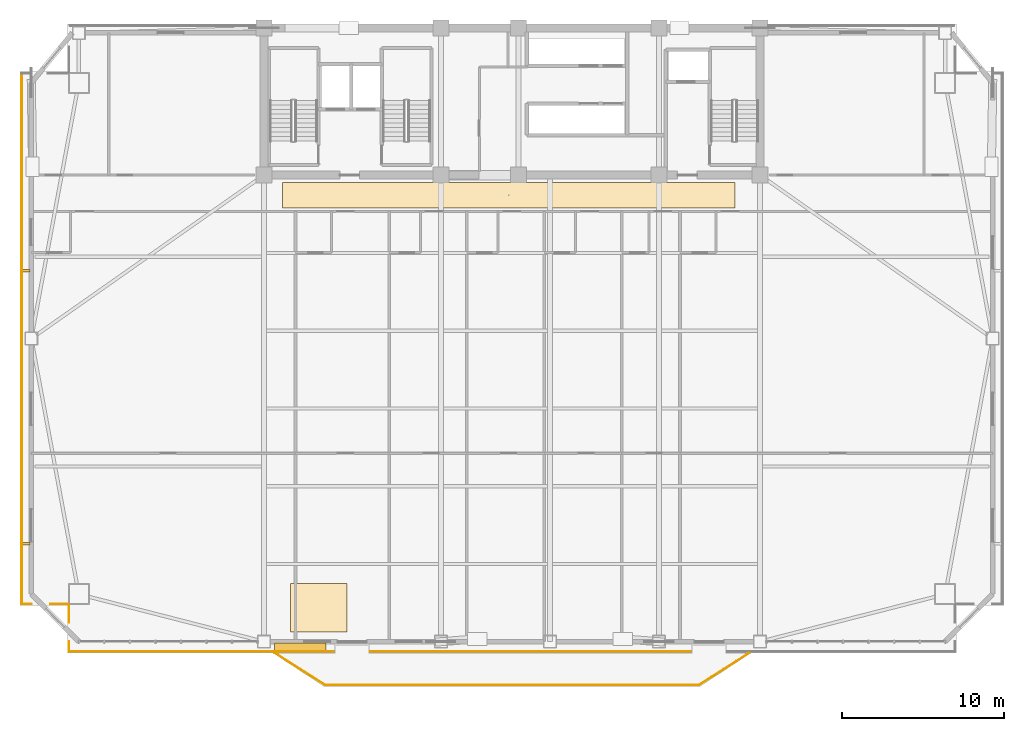
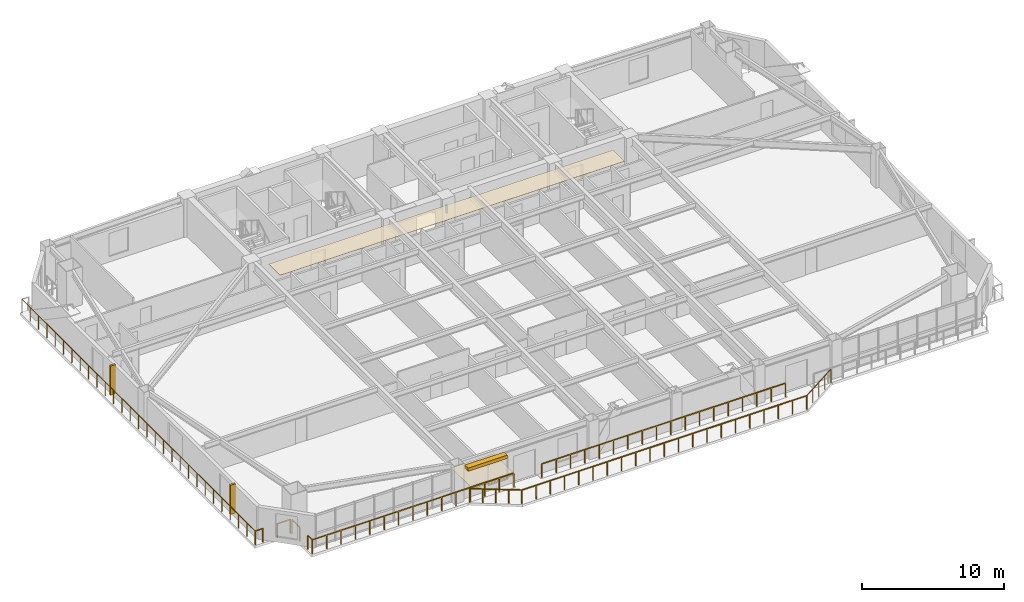
# One storey, part 12 of 15: 10 railings, 3 shading devices, 2 coverings.
"""IFC4 building model written with IfcOpenShell, lengths in metres."""

from ifc_helpers import new_model, si_unit, direction, frame, origin, origin_2d, place, context, subcontext, project, spatial, polyline, rectangle, outline, extrude, source, transform, mapped, material, layer, layer_set, type_object, element, save


model = new_model("IFC4")

# Units and contexts
model_context = context("Model", 3, precision=1e-05, world=origin(), true_north=direction((0.0, 1.0)))
body_context = subcontext(model_context, "Body", "Model", "MODEL_VIEW")
ifc_project = project(units=[si_unit("LENGTHUNIT", "METRE"), si_unit("AREAUNIT", "SQUARE_METRE"), si_unit("VOLUMEUNIT", "CUBIC_METRE"), si_unit("PLANEANGLEUNIT", "RADIAN"), si_unit("MASSUNIT", "GRAM", prefix="KILO")], contexts=[model_context])

# Site, building, storey
site_placement = place(None, origin())
site = spatial("IfcSite", under=ifc_project, at=site_placement, CompositionType="ELEMENT")
building_placement = place(site_placement, origin())
building = spatial("IfcBuilding", under=site, at=building_placement, Name="Giltprow Tower", CompositionType="ELEMENT")
storey_placement = place(building_placement, frame((0.0, 0.0, 149.199951171875)))
storey = spatial("IfcBuildingStorey", under=building, at=storey_placement, Name="L36", CompositionType="ELEMENT", Elevation=149.199951171875)

# Coverings
ifc_material_1 = material(Name="Painted gypsum board", Category="gypsum")
ifc_layer_1 = layer(ifc_material_1, 0.030029296875, Name="Painted gypsum board")
ifc_layer_set_1 = layer_set([ifc_layer_1], Name="Painted gypsum board")
covering_type_1 = type_object("IfcCoveringType", Name="COV-CLG-GYPSUM", PredefinedType="CEILING", material=ifc_layer_set_1)
covering_1_placement = place(storey_placement, frame((0.0, 0.0, 2.6201171875)))
element("IfcCovering", 1, at=covering_1_placement, inside=storey, type_object=covering_type_1, Name="L36 Hotel Corridor Gypsum Ceiling", PredefinedType="CEILING", context=body_context, shape_type="SweptSolid", body=[
    extrude(outline(polyline([(21.0, 35.39990234375), (49.0, 35.39990234375), (49.0, 37.0), (21.0, 37.0), (21.0, 35.39990234375)])), origin(), (0.0, 0.0, 1.0), 0.030029296875),
])
ifc_material_2 = material(Name="Engineered oak", Category="wood")
ifc_layer_2 = layer(ifc_material_2, 0.02490234375, Name="Engineered oak")
ifc_layer_set_2 = layer_set([ifc_layer_2], Name="Engineered oak")
covering_type_2 = type_object("IfcCoveringType", Name="COV-FLR-TIMBER", PredefinedType="FLOORING", material=ifc_layer_set_2)
covering_2_placement = place(storey_placement, origin())
element("IfcCovering", 2, at=covering_2_placement, inside=storey, type_object=covering_type_2, Name="L36 Engineered Oak Guestroom Flooring", PredefinedType="FLOORING", context=body_context, shape_type="SweptSolid", body=[
    extrude(outline(polyline([(21.5, 9.172119140625), (25.0, 9.172119140625), (25.0, 12.172119140625), (21.5, 12.172119140625), (21.5, 9.172119140625)])), origin(), (0.0, 0.0, 1.0), 0.025146484375),
])

# Railings
ifc_material_3 = material(Name="Anodized bronze", Category="metal")
railing_type = type_object("IfcRailingType", Name="RAIL-BALC-GUARD-1200", PredefinedType="BALUSTRADE", material=ifc_material_3)
railing_1_placement = place(storey_placement, frame((20.52001953125, 7.8720703125, 0.0)))
element("IfcRailing", 3, at=railing_1_placement, inside=storey, type_object=railing_type, Name="L36 Waterfront Balcony Balustrade Seg 1", PredefinedType="BALUSTRADE", context=body_context, shape_type="SweptSolid", body=[
    extrude(rectangle(XDim=0.048095703125, YDim=0.048095703125, at=origin_2d()), frame((0.0, 0.0, 1.17578125), z_axis=(0.84277487735, -0.538266203757, 0.0), x_axis=(0.538266203757, 0.84277487735, 0.0)), (0.0, 0.0, 1.0), 3.678466796875),
    extrude(rectangle(XDim=0.0419921875, YDim=0.0419921875, at=origin_2d()), origin(), (0.0, 0.0, 1.0), 1.15185546875),
    extrude(rectangle(XDim=0.0419921875, YDim=0.0419921875, at=origin_2d()), frame((0.77490234375, -0.4951171875, 0.0)), (0.0, 0.0, 1.0), 1.15185546875),
    extrude(rectangle(XDim=0.0419921875, YDim=0.0419921875, at=origin_2d()), frame((1.550048828125, -0.989990234375, 0.0)), (0.0, 0.0, 1.0), 1.15185546875),
    extrude(rectangle(XDim=0.0419921875, YDim=0.0419921875, at=origin_2d()), frame((2.3251953125, -1.48486328125, 0.0)), (0.0, 0.0, 1.0), 1.15185546875),
    extrude(rectangle(XDim=0.0419921875, YDim=0.0419921875, at=origin_2d()), frame((3.10009765625, -1.97998046875, 0.0)), (0.0, 0.0, 1.0), 1.15185546875),
])
railing_2_placement = place(storey_placement, frame((23.6201171875, 5.89208984375, 0.0)))
element("IfcRailing", 4, at=railing_2_placement, inside=storey, type_object=railing_type, Name="L36 Waterfront Balcony Balustrade Seg 2", PredefinedType="BALUSTRADE", context=body_context, shape_type="SweptSolid", body=[
    extrude(rectangle(XDim=0.048095703125, YDim=0.048095703125, at=origin_2d()), frame((0.0, 0.0, 1.17578125), z_axis=(1.0, 0.0, 0.0), x_axis=(0.0, 1.0, 0.0)), (0.0, 0.0, 1.0), 23.159912109375),
    extrude(rectangle(XDim=0.0419921875, YDim=0.0419921875, at=origin_2d()), origin(), (0.0, 0.0, 1.0), 1.15185546875),
    extrude(rectangle(XDim=0.0419921875, YDim=0.0419921875, at=origin_2d()), frame((1.157958984375, 0.0, 0.0)), (0.0, 0.0, 1.0), 1.15185546875),
    extrude(rectangle(XDim=0.0419921875, YDim=0.0419921875, at=origin_2d()), frame((2.31591796875, 0.0, 0.0)), (0.0, 0.0, 1.0), 1.15185546875),
    extrude(rectangle(XDim=0.0419921875, YDim=0.0419921875, at=origin_2d()), frame((3.473876953125, 0.0, 0.0)), (0.0, 0.0, 1.0), 1.15185546875),
    extrude(rectangle(XDim=0.0419921875, YDim=0.0419921875, at=origin_2d()), frame((4.632080078125, 0.0, 0.0)), (0.0, 0.0, 1.0), 1.15185546875),
    extrude(rectangle(XDim=0.0419921875, YDim=0.0419921875, at=origin_2d()), frame((5.7900390625, 0.0, 0.0)), (0.0, 0.0, 1.0), 1.15185546875),
    extrude(rectangle(XDim=0.0419921875, YDim=0.0419921875, at=origin_2d()), frame((6.947998046875, 0.0, 0.0)), (0.0, 0.0, 1.0), 1.15185546875),
    extrude(rectangle(XDim=0.0419921875, YDim=0.0419921875, at=origin_2d()), frame((8.10595703125, 0.0, 0.0)), (0.0, 0.0, 1.0), 1.15185546875),
    extrude(rectangle(XDim=0.0419921875, YDim=0.0419921875, at=origin_2d()), frame((9.263916015625, 0.0, 0.0)), (0.0, 0.0, 1.0), 1.15185546875),
    extrude(rectangle(XDim=0.0419921875, YDim=0.0419921875, at=origin_2d()), frame((10.421875, 0.0, 0.0)), (0.0, 0.0, 1.0), 1.15185546875),
    extrude(rectangle(XDim=0.0419921875, YDim=0.0419921875, at=origin_2d()), frame((11.580078125, 0.0, 0.0)), (0.0, 0.0, 1.0), 1.15185546875),
    extrude(rectangle(XDim=0.0419921875, YDim=0.0419921875, at=origin_2d()), frame((12.738037109375, 0.0, 0.0)), (0.0, 0.0, 1.0), 1.15185546875),
    extrude(rectangle(XDim=0.0419921875, YDim=0.0419921875, at=origin_2d()), frame((13.89599609375, 0.0, 0.0)), (0.0, 0.0, 1.0), 1.15185546875),
    extrude(rectangle(XDim=0.0419921875, YDim=0.0419921875, at=origin_2d()), frame((15.053955078125, 0.0, 0.0)), (0.0, 0.0, 1.0), 1.15185546875),
    extrude(rectangle(XDim=0.0419921875, YDim=0.0419921875, at=origin_2d()), frame((16.2119140625, 0.0, 0.0)), (0.0, 0.0, 1.0), 1.15185546875),
    extrude(rectangle(XDim=0.0419921875, YDim=0.0419921875, at=origin_2d()), frame((17.369873046875, 0.0, 0.0)), (0.0, 0.0, 1.0), 1.15185546875),
    extrude(rectangle(XDim=0.0419921875, YDim=0.0419921875, at=origin_2d()), frame((18.52783203125, 0.0, 0.0)), (0.0, 0.0, 1.0), 1.15185546875),
    extrude(rectangle(XDim=0.0419921875, YDim=0.0419921875, at=origin_2d()), frame((19.68603515625, 0.0, 0.0)), (0.0, 0.0, 1.0), 1.15185546875),
    extrude(rectangle(XDim=0.0419921875, YDim=0.0419921875, at=origin_2d()), frame((20.843994140625, 0.0, 0.0)), (0.0, 0.0, 1.0), 1.15185546875),
    extrude(rectangle(XDim=0.0419921875, YDim=0.0419921875, at=origin_2d()), frame((22.001953125, 0.0, 0.0)), (0.0, 0.0, 1.0), 1.15185546875),
    extrude(rectangle(XDim=0.0419921875, YDim=0.0419921875, at=origin_2d()), frame((23.159912109375, 0.0, 0.0)), (0.0, 0.0, 1.0), 1.15185546875),
])
railing_3_placement = place(storey_placement, frame((46.780029296875, 5.89208984375, 0.0)))
element("IfcRailing", 5, at=railing_3_placement, inside=storey, type_object=railing_type, Name="L36 Waterfront Balcony Balustrade Seg 3", PredefinedType="BALUSTRADE", context=body_context, shape_type="SweptSolid", body=[
    extrude(rectangle(XDim=0.048095703125, YDim=0.048095703125, at=origin_2d()), frame((0.0, 0.0, 1.17578125), z_axis=(0.842755646126, 0.538296313309, 0.0), x_axis=(-0.538296313309, 0.842755646126, 0.0)), (0.0, 0.0, 1.0), 3.67822265625),
    extrude(rectangle(XDim=0.0419921875, YDim=0.0419921875, at=origin_2d()), origin(), (0.0, 0.0, 1.0), 1.15185546875),
    extrude(rectangle(XDim=0.0419921875, YDim=0.0419921875, at=origin_2d()), frame((0.77490234375, 0.4951171875, 0.0)), (0.0, 0.0, 1.0), 1.15185546875),
    extrude(rectangle(XDim=0.0419921875, YDim=0.0419921875, at=origin_2d()), frame((1.5498046875, 0.989990234375, 0.0)), (0.0, 0.0, 1.0), 1.15185546875),
    extrude(rectangle(XDim=0.0419921875, YDim=0.0419921875, at=origin_2d()), frame((2.324951171875, 1.48486328125, 0.0)), (0.0, 0.0, 1.0), 1.15185546875),
    extrude(rectangle(XDim=0.0419921875, YDim=0.0419921875, at=origin_2d()), frame((3.099853515625, 1.97998046875, 0.0)), (0.0, 0.0, 1.0), 1.15185546875),
])
railing_4_placement = place(storey_placement, frame((7.7880859375, 7.971923828125, 0.0)))
element("IfcRailing", 6, at=railing_4_placement, inside=storey, type_object=railing_type, Name="L36 Corner Apron Edge Balustrade 1", PredefinedType="BALUSTRADE", context=body_context, shape_type="SweptSolid", body=[
    extrude(rectangle(XDim=0.048095703125, YDim=0.048095703125, at=origin_2d()), frame((0.0, 0.0, 1.17578125), z_axis=(0.0, 1.0, 0.0), x_axis=(-1.0, 0.0, 0.0)), (0.0, 0.0, 1.0), 0.6201171875),
    extrude(rectangle(XDim=0.0419921875, YDim=0.0419921875, at=origin_2d()), origin(), (0.0, 0.0, 1.0), 1.15185546875),
    extrude(rectangle(XDim=0.0419921875, YDim=0.0419921875, at=origin_2d()), frame((0.0, 0.6201171875, 0.0)), (0.0, 0.0, 1.0), 1.15185546875),
])
railing_5_placement = place(storey_placement, frame((7.7880859375, 9.751953125, 0.0)))
element("IfcRailing", 7, at=railing_5_placement, inside=storey, type_object=railing_type, Name="L36 Corner Apron Edge Balustrade 2", PredefinedType="BALUSTRADE", context=body_context, shape_type="SweptSolid", body=[
    extrude(rectangle(XDim=0.048095703125, YDim=0.048095703125, at=origin_2d()), frame((0.0, 0.0, 1.17578125), z_axis=(0.0, 1.0, 0.0), x_axis=(-1.0, 0.0, 0.0)), (0.0, 0.0, 1.0), 1.073974609375),
    extrude(rectangle(XDim=0.0419921875, YDim=0.0419921875, at=origin_2d()), origin(), (0.0, 0.0, 1.0), 1.15185546875),
    extrude(rectangle(XDim=0.0419921875, YDim=0.0419921875, at=origin_2d()), frame((0.0, 1.073974609375, 0.0)), (0.0, 0.0, 1.0), 1.15185546875),
])
railing_6_placement = place(storey_placement, frame((7.702880859375, 10.910888671875, 0.0)))
element("IfcRailing", 8, at=railing_6_placement, inside=storey, type_object=railing_type, Name="L36 Corner Apron Edge Balustrade 3", PredefinedType="BALUSTRADE", context=body_context, shape_type="SweptSolid", body=[
    extrude(rectangle(XDim=0.048095703125, YDim=0.048095703125, at=origin_2d()), frame((0.0, 0.0, 1.17578125), z_axis=(-1.0, 0.0, 0.0), x_axis=(0.0, -1.0, 0.0)), (0.0, 0.0, 1.0), 1.073974609375),
    extrude(rectangle(XDim=0.0419921875, YDim=0.0419921875, at=origin_2d()), origin(), (0.0, 0.0, 1.0), 1.15185546875),
    extrude(rectangle(XDim=0.0419921875, YDim=0.0419921875, at=origin_2d()), frame((-1.073974609375, 0.0, 0.0)), (0.0, 0.0, 1.0), 1.15185546875),
])
railing_7_placement = place(storey_placement, frame((5.468994140625, 10.910888671875, 0.0)))
element("IfcRailing", 9, at=railing_7_placement, inside=storey, type_object=railing_type, Name="L36 Corner Apron Edge Balustrade 4", PredefinedType="BALUSTRADE", context=body_context, shape_type="SweptSolid", body=[
    extrude(rectangle(XDim=0.048095703125, YDim=0.048095703125, at=origin_2d()), frame((0.0, 0.0, 1.17578125), z_axis=(-1.0, 0.0, 0.0), x_axis=(0.0, -1.0, 0.0)), (0.0, 0.0, 1.0), 0.619873046875),
    extrude(rectangle(XDim=0.0419921875, YDim=0.0419921875, at=origin_2d()), origin(), (0.0, 0.0, 1.0), 1.15185546875),
    extrude(rectangle(XDim=0.0419921875, YDim=0.0419921875, at=origin_2d()), frame((-0.619873046875, 0.0, 0.0)), (0.0, 0.0, 1.0), 1.15185546875),
])
railing_8_placement = place(storey_placement, frame((4.84912109375, 10.910888671875, 0.0)))
element("IfcRailing", 10, at=railing_8_placement, inside=storey, type_object=railing_type, Name="L36 Corner Apron Edge Balustrade 5", PredefinedType="BALUSTRADE", context=body_context, shape_type="SweptSolid", body=[
    extrude(rectangle(XDim=0.048095703125, YDim=0.048095703125, at=origin_2d()), frame((0.0, 0.0, 1.17578125), z_axis=(0.0, 1.0, 0.0), x_axis=(-1.0, 0.0, 0.0)), (0.0, 0.0, 1.0), 32.85009765625),
    extrude(rectangle(XDim=0.0419921875, YDim=0.0419921875, at=origin_2d()), origin(), (0.0, 0.0, 1.0), 1.15185546875),
    extrude(rectangle(XDim=0.0419921875, YDim=0.0419921875, at=origin_2d()), frame((0.0, 1.17333984375, 0.0)), (0.0, 0.0, 1.0), 1.15185546875),
    extrude(rectangle(XDim=0.0419921875, YDim=0.0419921875, at=origin_2d()), frame((0.0, 2.346435546875, 0.0)), (0.0, 0.0, 1.0), 1.15185546875),
    extrude(rectangle(XDim=0.0419921875, YDim=0.0419921875, at=origin_2d()), frame((0.0, 3.51953125, 0.0)), (0.0, 0.0, 1.0), 1.15185546875),
    extrude(rectangle(XDim=0.0419921875, YDim=0.0419921875, at=origin_2d()), frame((0.0, 4.69287109375, 0.0)), (0.0, 0.0, 1.0), 1.15185546875),
    extrude(rectangle(XDim=0.0419921875, YDim=0.0419921875, at=origin_2d()), frame((0.0, 5.8662109375, 0.0)), (0.0, 0.0, 1.0), 1.15185546875),
    extrude(rectangle(XDim=0.0419921875, YDim=0.0419921875, at=origin_2d()), frame((0.0, 7.039306640625, 0.0)), (0.0, 0.0, 1.0), 1.15185546875),
    extrude(rectangle(XDim=0.0419921875, YDim=0.0419921875, at=origin_2d()), frame((0.0, 8.21240234375, 0.0)), (0.0, 0.0, 1.0), 1.15185546875),
    extrude(rectangle(XDim=0.0419921875, YDim=0.0419921875, at=origin_2d()), frame((0.0, 9.3857421875, 0.0)), (0.0, 0.0, 1.0), 1.15185546875),
    extrude(rectangle(XDim=0.0419921875, YDim=0.0419921875, at=origin_2d()), frame((0.0, 10.55908203125, 0.0)), (0.0, 0.0, 1.0), 1.15185546875),
    extrude(rectangle(XDim=0.0419921875, YDim=0.0419921875, at=origin_2d()), frame((0.0, 11.732177734375, 0.0)), (0.0, 0.0, 1.0), 1.15185546875),
    extrude(rectangle(XDim=0.0419921875, YDim=0.0419921875, at=origin_2d()), frame((0.0, 12.9052734375, 0.0)), (0.0, 0.0, 1.0), 1.15185546875),
    extrude(rectangle(XDim=0.0419921875, YDim=0.0419921875, at=origin_2d()), frame((0.0, 14.07861328125, 0.0)), (0.0, 0.0, 1.0), 1.15185546875),
    extrude(rectangle(XDim=0.0419921875, YDim=0.0419921875, at=origin_2d()), frame((0.0, 15.251953125, 0.0)), (0.0, 0.0, 1.0), 1.15185546875),
    extrude(rectangle(XDim=0.0419921875, YDim=0.0419921875, at=origin_2d()), frame((0.0, 16.425048828125, 0.0)), (0.0, 0.0, 1.0), 1.15185546875),
    extrude(rectangle(XDim=0.0419921875, YDim=0.0419921875, at=origin_2d()), frame((0.0, 17.59814453125, 0.0)), (0.0, 0.0, 1.0), 1.15185546875),
    extrude(rectangle(XDim=0.0419921875, YDim=0.0419921875, at=origin_2d()), frame((0.0, 18.771484375, 0.0)), (0.0, 0.0, 1.0), 1.15185546875),
    extrude(rectangle(XDim=0.0419921875, YDim=0.0419921875, at=origin_2d()), frame((0.0, 19.94482421875, 0.0)), (0.0, 0.0, 1.0), 1.15185546875),
    extrude(rectangle(XDim=0.0419921875, YDim=0.0419921875, at=origin_2d()), frame((0.0, 21.117919921875, 0.0)), (0.0, 0.0, 1.0), 1.15185546875),
    extrude(rectangle(XDim=0.0419921875, YDim=0.0419921875, at=origin_2d()), frame((0.0, 22.291015625, 0.0)), (0.0, 0.0, 1.0), 1.15185546875),
    extrude(rectangle(XDim=0.0419921875, YDim=0.0419921875, at=origin_2d()), frame((0.0, 23.46435546875, 0.0)), (0.0, 0.0, 1.0), 1.15185546875),
    extrude(rectangle(XDim=0.0419921875, YDim=0.0419921875, at=origin_2d()), frame((0.0, 24.6376953125, 0.0)), (0.0, 0.0, 1.0), 1.15185546875),
    extrude(rectangle(XDim=0.0419921875, YDim=0.0419921875, at=origin_2d()), frame((0.0, 25.810791015625, 0.0)), (0.0, 0.0, 1.0), 1.15185546875),
    extrude(rectangle(XDim=0.0419921875, YDim=0.0419921875, at=origin_2d()), frame((0.0, 26.98388671875, 0.0)), (0.0, 0.0, 1.0), 1.15185546875),
    extrude(rectangle(XDim=0.0419921875, YDim=0.0419921875, at=origin_2d()), frame((0.0, 28.1572265625, 0.0)), (0.0, 0.0, 1.0), 1.15185546875),
    extrude(rectangle(XDim=0.0419921875, YDim=0.0419921875, at=origin_2d()), frame((0.0, 29.33056640625, 0.0)), (0.0, 0.0, 1.0), 1.15185546875),
    extrude(rectangle(XDim=0.0419921875, YDim=0.0419921875, at=origin_2d()), frame((0.0, 30.503662109375, 0.0)), (0.0, 0.0, 1.0), 1.15185546875),
    extrude(rectangle(XDim=0.0419921875, YDim=0.0419921875, at=origin_2d()), frame((0.0, 31.6767578125, 0.0)), (0.0, 0.0, 1.0), 1.15185546875),
    extrude(rectangle(XDim=0.0419921875, YDim=0.0419921875, at=origin_2d()), frame((0.0, 32.85009765625, 0.0)), (0.0, 0.0, 1.0), 1.15185546875),
])
railing_9_placement = place(storey_placement, frame((46.25, 7.971923828125, 0.0)))
element("IfcRailing", 11, at=railing_9_placement, inside=storey, type_object=railing_type, Name="L36 Corner Apron Edge Balustrade 20", PredefinedType="BALUSTRADE", context=body_context, shape_type="SweptSolid", body=[
    extrude(rectangle(XDim=0.048095703125, YDim=0.048095703125, at=origin_2d()), frame((0.0, 0.0, 1.17578125), z_axis=(-1.0, 0.0, 0.0), x_axis=(0.0, -1.0, 0.0)), (0.0, 0.0, 1.0), 19.800048828125),
    extrude(rectangle(XDim=0.0419921875, YDim=0.0419921875, at=origin_2d()), origin(), (0.0, 0.0, 1.0), 1.15185546875),
    extrude(rectangle(XDim=0.0419921875, YDim=0.0419921875, at=origin_2d()), frame((-1.164794921875, 0.0, 0.0)), (0.0, 0.0, 1.0), 1.15185546875),
    extrude(rectangle(XDim=0.0419921875, YDim=0.0419921875, at=origin_2d()), frame((-2.329345703125, 0.0, 0.0)), (0.0, 0.0, 1.0), 1.15185546875),
    extrude(rectangle(XDim=0.0419921875, YDim=0.0419921875, at=origin_2d()), frame((-3.494140625, 0.0, 0.0)), (0.0, 0.0, 1.0), 1.15185546875),
    extrude(rectangle(XDim=0.0419921875, YDim=0.0419921875, at=origin_2d()), frame((-4.658935546875, 0.0, 0.0)), (0.0, 0.0, 1.0), 1.15185546875),
    extrude(rectangle(XDim=0.0419921875, YDim=0.0419921875, at=origin_2d()), frame((-5.823486328125, 0.0, 0.0)), (0.0, 0.0, 1.0), 1.15185546875),
    extrude(rectangle(XDim=0.0419921875, YDim=0.0419921875, at=origin_2d()), frame((-6.98828125, 0.0, 0.0)), (0.0, 0.0, 1.0), 1.15185546875),
    extrude(rectangle(XDim=0.0419921875, YDim=0.0419921875, at=origin_2d()), frame((-8.153076171875, 0.0, 0.0)), (0.0, 0.0, 1.0), 1.15185546875),
    extrude(rectangle(XDim=0.0419921875, YDim=0.0419921875, at=origin_2d()), frame((-9.317626953125, 0.0, 0.0)), (0.0, 0.0, 1.0), 1.15185546875),
    extrude(rectangle(XDim=0.0419921875, YDim=0.0419921875, at=origin_2d()), frame((-10.482421875, 0.0, 0.0)), (0.0, 0.0, 1.0), 1.15185546875),
    extrude(rectangle(XDim=0.0419921875, YDim=0.0419921875, at=origin_2d()), frame((-11.64697265625, 0.0, 0.0)), (0.0, 0.0, 1.0), 1.15185546875),
    extrude(rectangle(XDim=0.0419921875, YDim=0.0419921875, at=origin_2d()), frame((-12.811767578125, 0.0, 0.0)), (0.0, 0.0, 1.0), 1.15185546875),
    extrude(rectangle(XDim=0.0419921875, YDim=0.0419921875, at=origin_2d()), frame((-13.9765625, 0.0, 0.0)), (0.0, 0.0, 1.0), 1.15185546875),
    extrude(rectangle(XDim=0.0419921875, YDim=0.0419921875, at=origin_2d()), frame((-15.14111328125, 0.0, 0.0)), (0.0, 0.0, 1.0), 1.15185546875),
    extrude(rectangle(XDim=0.0419921875, YDim=0.0419921875, at=origin_2d()), frame((-16.305908203125, 0.0, 0.0)), (0.0, 0.0, 1.0), 1.15185546875),
    extrude(rectangle(XDim=0.0419921875, YDim=0.0419921875, at=origin_2d()), frame((-17.470703125, 0.0, 0.0)), (0.0, 0.0, 1.0), 1.15185546875),
    extrude(rectangle(XDim=0.0419921875, YDim=0.0419921875, at=origin_2d()), frame((-18.63525390625, 0.0, 0.0)), (0.0, 0.0, 1.0), 1.15185546875),
    extrude(rectangle(XDim=0.0419921875, YDim=0.0419921875, at=origin_2d()), frame((-19.800048828125, 0.0, 0.0)), (0.0, 0.0, 1.0), 1.15185546875),
])
railing_10_placement = place(storey_placement, frame((24.14990234375, 7.971923828125, 0.0)))
element("IfcRailing", 12, at=railing_10_placement, inside=storey, type_object=railing_type, Name="L36 Corner Apron Edge Balustrade 21", PredefinedType="BALUSTRADE", context=body_context, shape_type="SweptSolid", body=[
    extrude(rectangle(XDim=0.048095703125, YDim=0.048095703125, at=origin_2d()), frame((0.0, 0.0, 1.17578125), z_axis=(-1.0, 0.0, 0.0), x_axis=(0.0, -1.0, 0.0)), (0.0, 0.0, 1.0), 16.36181640625),
    extrude(rectangle(XDim=0.0419921875, YDim=0.0419921875, at=origin_2d()), origin(), (0.0, 0.0, 1.0), 1.15185546875),
    extrude(rectangle(XDim=0.0419921875, YDim=0.0419921875, at=origin_2d()), frame((-1.168701171875, 0.0, 0.0)), (0.0, 0.0, 1.0), 1.15185546875),
    extrude(rectangle(XDim=0.0419921875, YDim=0.0419921875, at=origin_2d()), frame((-2.33740234375, 0.0, 0.0)), (0.0, 0.0, 1.0), 1.15185546875),
    extrude(rectangle(XDim=0.0419921875, YDim=0.0419921875, at=origin_2d()), frame((-3.506103515625, 0.0, 0.0)), (0.0, 0.0, 1.0), 1.15185546875),
    extrude(rectangle(XDim=0.0419921875, YDim=0.0419921875, at=origin_2d()), frame((-4.6748046875, 0.0, 0.0)), (0.0, 0.0, 1.0), 1.15185546875),
    extrude(rectangle(XDim=0.0419921875, YDim=0.0419921875, at=origin_2d()), frame((-5.843505859375, 0.0, 0.0)), (0.0, 0.0, 1.0), 1.15185546875),
    extrude(rectangle(XDim=0.0419921875, YDim=0.0419921875, at=origin_2d()), frame((-7.01220703125, 0.0, 0.0)), (0.0, 0.0, 1.0), 1.15185546875),
    extrude(rectangle(XDim=0.0419921875, YDim=0.0419921875, at=origin_2d()), frame((-8.180908203125, 0.0, 0.0)), (0.0, 0.0, 1.0), 1.15185546875),
    extrude(rectangle(XDim=0.0419921875, YDim=0.0419921875, at=origin_2d()), frame((-9.349609375, 0.0, 0.0)), (0.0, 0.0, 1.0), 1.15185546875),
    extrude(rectangle(XDim=0.0419921875, YDim=0.0419921875, at=origin_2d()), frame((-10.518310546875, 0.0, 0.0)), (0.0, 0.0, 1.0), 1.15185546875),
    extrude(rectangle(XDim=0.0419921875, YDim=0.0419921875, at=origin_2d()), frame((-11.68701171875, 0.0, 0.0)), (0.0, 0.0, 1.0), 1.15185546875),
    extrude(rectangle(XDim=0.0419921875, YDim=0.0419921875, at=origin_2d()), frame((-12.855712890625, 0.0, 0.0)), (0.0, 0.0, 1.0), 1.15185546875),
    extrude(rectangle(XDim=0.0419921875, YDim=0.0419921875, at=origin_2d()), frame((-14.0244140625, 0.0, 0.0)), (0.0, 0.0, 1.0), 1.15185546875),
    extrude(rectangle(XDim=0.0419921875, YDim=0.0419921875, at=origin_2d()), frame((-15.193115234375, 0.0, 0.0)), (0.0, 0.0, 1.0), 1.15185546875),
    extrude(rectangle(XDim=0.0419921875, YDim=0.0419921875, at=origin_2d()), frame((-16.36181640625, 0.0, 0.0)), (0.0, 0.0, 1.0), 1.15185546875),
])

# Shading devices
shading_device_type_1 = type_object("IfcShadingDeviceType", Name="SHD-FIN-420", PredefinedType="USERDEFINED", material=ifc_material_3)
shared_shape_1 = source(origin(), body_context, "Body", "SweptSolid", [
    extrude(rectangle(XDim=0.419921875, YDim=0.159912109375, at=origin_2d()), origin(), (0.0, 0.0, 1.0), 2.5),
])
for number, where, z_axis, x_axis, name in (
    (13, (5.14892578125, 14.64208984375, 0.35009765625), (0.0, 0.0, 1.0), (1.0, 0.0, 0.0), "L36 W Bronze Vertical Fin 1-1"),
    (14, (5.14892578125, 31.534912109375, 0.35009765625), (0.0, 0.0, 1.0), (1.0, 0.0, 0.0), "L36 W Bronze Vertical Fin 2-1"),
):
    element("IfcShadingDevice", number, at=place(storey_placement, frame(where, z_axis=z_axis, x_axis=x_axis)), inside=storey, type_object=shading_device_type_1, Name=name, ObjectType="FIN", PredefinedType="USERDEFINED", context=body_context, shape_type="MappedRepresentation", body=[
        mapped(shared_shape_1, transform((0.0, 0.0, 0.0), x_axis=(1.0, 0.0, 0.0), y_axis=(0.0, 1.0, 0.0), z_axis=(0.0, 0.0, 1.0), scale=1.0)),
    ])
shading_device_type_2 = type_object("IfcShadingDeviceType", Name="SHD-LOUVRE-320", PredefinedType="JALOUSIE", material=ifc_material_3)
shared_shape_2 = source(origin(), body_context, "Body", "SweptSolid", [
    extrude(rectangle(XDim=3.199951171875, YDim=0.449951171875, at=origin_2d()), origin(), (0.0, 0.0, 1.0), 0.280029296875),
])
shading_device_placement = place(storey_placement, frame((22.10009765625, 8.27197265625, 2.56005859375), z_axis=(0.0, 0.0, 1.0), x_axis=(1.0, 0.0, 0.0)))
element("IfcShadingDevice", 15, at=shading_device_placement, inside=storey, type_object=shading_device_type_2, Name="L36 Bronze Sunshade Louvre S-2", PredefinedType="JALOUSIE", context=body_context, shape_type="MappedRepresentation", body=[
    mapped(shared_shape_2, transform((0.0, 0.0, 0.0), x_axis=(1.0, 0.0, 0.0), y_axis=(0.0, 1.0, 0.0), z_axis=(0.0, 0.0, 1.0), scale=1.0)),
])

save(model, "model.ifc")
